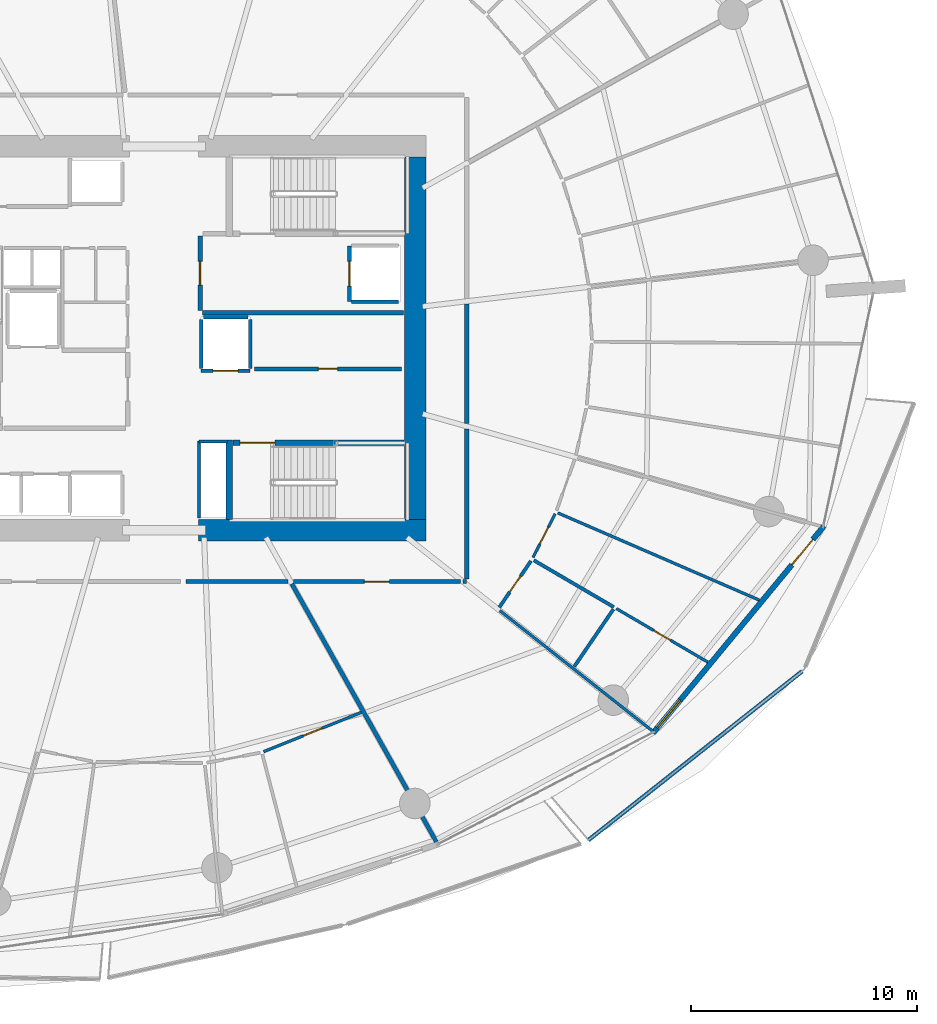
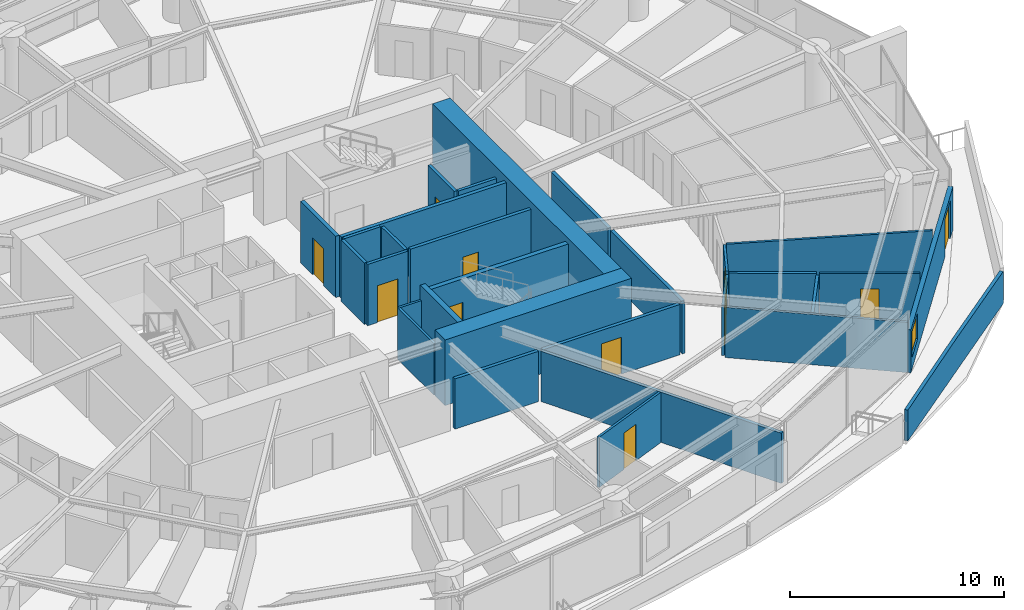
# One storey, part 21 of 32: 31 walls, 11 doors, 1 window, 12 openings.
"""IFC4 building model written with IfcOpenShell, lengths in metres."""

from ifc_helpers import new_model, si_unit, direction, frame, frame_2d, origin, place, context, subcontext, project, spatial, polyline, rectangle, outline, extrude, material, layer, layer_set, type_object, element, fill, save


model = new_model("IFC4")

# Units and contexts
model_context = context("Model", 3, precision=1e-05, world=origin(), true_north=direction((0.0, 1.0)))
body_context = subcontext(model_context, "Body", "Model", "MODEL_VIEW")
ifc_project = project(units=[si_unit("LENGTHUNIT", "METRE"), si_unit("AREAUNIT", "SQUARE_METRE"), si_unit("VOLUMEUNIT", "CUBIC_METRE"), si_unit("PLANEANGLEUNIT", "RADIAN"), si_unit("MASSUNIT", "GRAM", prefix="KILO")], contexts=[model_context])

# Site, building, storey
site_placement = place(None, origin())
site = spatial("IfcSite", under=ifc_project, at=site_placement, CompositionType="ELEMENT")
building_placement = place(site_placement, origin())
building = spatial("IfcBuilding", under=site, at=building_placement, Name="Kazma Halo Residences", CompositionType="ELEMENT")
storey_placement = place(building_placement, frame((0.0, 0.0, 63.89990234375)))
storey = spatial("IfcBuildingStorey", under=building, at=storey_placement, Name="L15", CompositionType="ELEMENT", Elevation=63.89990234375)

# Walls
ifc_material_1 = material(Name="White Concrete C50/60 Balustrade", Category="concrete")
ifc_layer_1 = layer(ifc_material_1, 0.179931640625)
ifc_layer_set_1 = layer_set([ifc_layer_1], Name="White Concrete C50/60 Balustrade")
wall_type_1 = type_object("IfcWallType", Name="WL-BAL-WAVE-180", PredefinedType="PARAPET", material=ifc_layer_set_1)
wall_1_placement = place(storey_placement, frame((67.171630859375, 19.82861328125, 0.0), z_axis=(0.0, 0.0, 1.0), x_axis=(0.784771193171, 0.619785587416, 0.0)))
element("IfcWall", 1, at=wall_1_placement, inside=storey, type_object=wall_type_1, Name="L15 white wave balustrade wall SE.1", PredefinedType="PARAPET", context=body_context, shape_type="SweptSolid", body=[
    extrude(outline(polyline([(0.0, 0.0), (12.0439453125, 0.0), (12.0439453125, 1.83203125), (6.02197265625, 1.85302734375), (0.0, 1.756103515625), (0.0, 0.0)])), frame((0.0, 0.08984375, 0.0), z_axis=(0.0, -1.0, 0.0), x_axis=(1.0, 0.0, 0.0)), (0.0, 0.0, 1.0), 0.179931640625),
])
ifc_material_2 = material(Name="Concrete C80/95", Category="concrete")
ifc_layer_2 = layer(ifc_material_2, 0.949951171875)
ifc_layer_set_2 = layer_set([ifc_layer_2], Name="Concrete C80/95")
wall_type_2 = type_object("IfcWallType", Name="WL-CORE-950", PredefinedType="SHEAR", material=ifc_layer_set_2)
wall_2_placement = place(storey_placement, frame((49.949951171875, 33.52490234375, 0.0), z_axis=(0.0, 0.0, 1.0), x_axis=(1.0, 0.0, 0.0)))
element("IfcWall", 2, at=wall_2_placement, inside=storey, type_object=wall_type_2, Name="L15 central core shear wall SE", PredefinedType="SHEAR", context=body_context, shape_type="SweptSolid", body=[
    extrude(rectangle(XDim=10.050048828125, YDim=0.949951171875, at=frame_2d((5.02490234375, 0.0))), origin(), (0.0, 0.0, 1.0), 3.75),
])
wall_3_placement = place(storey_placement, frame((59.52490234375, 34.0, 0.0), z_axis=(0.0, 0.0, 1.0), x_axis=(0.0, 1.0, 0.0)))
element("IfcWall", 3, at=wall_3_placement, inside=storey, type_object=wall_type_2, Name="L15 central core shear wall E", PredefinedType="SHEAR", context=body_context, shape_type="SweptSolid", body=[
    extrude(rectangle(XDim=16.0, YDim=0.949951171875, at=frame_2d((8.0, 0.0))), origin(), (0.0, 0.0, 1.0), 3.75),
])
ifc_material_3 = material(Name="Concrete C60/75", Category="concrete")
ifc_layer_3 = layer(ifc_material_3, 0.280029296875)
ifc_layer_set_3 = layer_set([ifc_layer_3], Name="Concrete C60/75")
wall_type_3 = type_object("IfcWallType", Name="WL-CORE-ST-280", PredefinedType="SHEAR", material=ifc_layer_set_3)
wall_4_placement = place(storey_placement, frame((51.31005859375, 34.0, 0.0), z_axis=(0.0, 0.0, 1.0), x_axis=(0.0, 1.0, 0.0)))
element("IfcWall", 4, at=wall_4_placement, inside=storey, type_object=wall_type_3, Name="L15 stairwell bearing wall ST03-W", PredefinedType="SHEAR", context=body_context, shape_type="SweptSolid", body=[
    extrude(rectangle(XDim=3.5, YDim=0.280029296875, at=frame_2d((1.75, 0.0))), origin(), (0.0, 0.0, 1.0), 3.75),
])
ifc_material_4 = material(Name="Acoustic Twin-Stud Gypsum")
ifc_layer_4 = layer(ifc_material_4, 0.179931640625)
ifc_layer_set_4 = layer_set([ifc_layer_4], Name="Acoustic Twin-Stud Gypsum")
wall_type_4 = type_object("IfcWallType", Name="WL-DEM-180", PredefinedType="PARTITIONING", material=ifc_layer_set_4)
wall_5_placement = place(storey_placement, frame((54.073974609375, 31.154052734375, 0.0), z_axis=(0.0, 0.0, 1.0), x_axis=(0.48862612996, -0.872493269384, 0.0)))
element("IfcWall", 5, at=wall_5_placement, inside=storey, type_object=wall_type_4, Name="L15 apartment demising radial wall 12", PredefinedType="PARTITIONING", context=body_context, shape_type="SweptSolid", body=[
    extrude(rectangle(XDim=13.064697265625, YDim=0.179931640625, at=frame_2d((6.5322265625, 0.0))), origin(), (0.0, 0.0, 1.0), 2.8671875),
])
wall_6_placement = place(storey_placement, frame((49.392333984375, 31.25, 0.0), z_axis=(0.0, 0.0, 1.0), x_axis=(1.0, 0.0, 0.0)))
element("IfcWall", 6, at=wall_6_placement, inside=storey, type_object=wall_type_4, Name="L15 Apartment 2 inner wall 11", PredefinedType="PARTITIONING", context=body_context, shape_type="SweptSolid", body=[
    extrude(rectangle(XDim=4.508056640625, YDim=0.179931640625, at=frame_2d((2.25390625, 0.0))), origin(), (0.0, 0.0, 1.0), 2.8671875),
])

# Wall, opening, door
wall_7_placement = place(storey_placement, frame((54.140380859375, 31.25, 0.0), z_axis=(0.0, 0.0, 1.0), x_axis=(1.0, 0.0, 0.0)))
wall_7 = element("IfcWall", 7, at=wall_7_placement, inside=storey, type_object=wall_type_4, Name="L15 Apartment 3 entrance corridor wall", PredefinedType="PARTITIONING", context=body_context, shape_type="SweptSolid", body=[
    extrude(rectangle(XDim=7.3759765625, YDim=0.179931640625, at=frame_2d((3.68798828125, 0.0))), origin(), (0.0, 0.0, 1.0), 2.8671875),
])
opening_1_placement = place(wall_7_placement, frame((3.137939453125, 0.0, 0.0)))
opening_1 = element("IfcOpeningElement", 8, at=opening_1_placement, cuts=wall_7, Name="Opening DA-1100", PredefinedType="OPENING", context=body_context, shape_type="SweptSolid", body=[
    extrude(rectangle(XDim=1.10009765625, YDim=2.10009765625, at=frame_2d((0.550048828125, 1.050048828125))), frame((0.0, 0.099853515625, 0.0), z_axis=(0.0, -1.0, 0.0), x_axis=(1.0, 0.0, 0.0)), (0.0, 0.0, 1.0), 0.199951171875),
])
ifc_material_5 = material(Name="Acoustic Walnut Fire Leaf")
door_type_1 = type_object("IfcDoorType", Name="DR-FD60-1100", OperationType="NOTDEFINED", PredefinedType="DOOR", material=ifc_material_5)
door_1_placement = place(opening_1_placement, origin())
door_1 = element("IfcDoor", 9, at=door_1_placement, inside=storey, type_object=door_type_1, Name="L15 Apartment 3 entrance fire door", OperationType="SINGLE_SWING_LEFT", OverallHeight=2.10009765625, OverallWidth=1.10009765625, PredefinedType="DOOR", context=body_context, shape_type="SweptSolid", body=[
    extrude(rectangle(XDim=1.10009765625, YDim=2.10009765625, at=frame_2d((0.550048828125, 1.050048828125))), frame((0.0, 0.02490234375, 0.0), z_axis=(0.0, -1.0, 0.0), x_axis=(1.0, 0.0, 0.0)), (0.0, 0.0, 1.0), 0.050048828125),
])
fill(opening_1, door_1)

# Walls
wall_8_placement = place(storey_placement, frame((61.63623046875, 31.25, 0.0), z_axis=(0.0, 0.0, 1.0), x_axis=(1.0, 0.0, 0.0)))
element("IfcWall", 10, at=wall_8_placement, inside=storey, type_object=wall_type_4, Name="L15 Apartment 3 inner wall 13", PredefinedType="PARTITIONING", context=body_context, shape_type="SweptSolid", body=[
    extrude(rectangle(XDim=0.163818359375, YDim=0.179931640625, at=frame_2d((0.08203125, 0.0))), origin(), (0.0, 0.0, 1.0), 2.8671875),
])
wall_9_placement = place(storey_placement, frame((61.800048828125, 31.3701171875, 0.0), z_axis=(0.0, 0.0, 1.0), x_axis=(0.0, 1.0, 0.0)))
element("IfcWall", 11, at=wall_9_placement, inside=storey, type_object=wall_type_4, Name="L15 Apartment 3 inner wall 13", PredefinedType="PARTITIONING", context=body_context, shape_type="SweptSolid", body=[
    extrude(rectangle(XDim=6.617919921875, YDim=0.179931640625, at=frame_2d((3.30908203125, 0.0))), origin(), (0.0, 0.0, 1.0), 2.8671875),
])
wall_10_placement = place(storey_placement, frame((61.800048828125, 38.22802734375, 0.0), z_axis=(0.0, 0.0, 1.0), x_axis=(0.0, 1.0, 0.0)))
element("IfcWall", 12, at=wall_10_placement, inside=storey, type_object=wall_type_4, Name="L15 Apartment 3 inner wall 14", PredefinedType="PARTITIONING", context=body_context, shape_type="SweptSolid", body=[
    extrude(rectangle(XDim=5.28515625, YDim=0.179931640625, at=frame_2d((2.642578125, 0.0))), origin(), (0.0, 0.0, 1.0), 2.8671875),
])

# Wall, openings, door, window
ifc_material_6 = material(Name="Insulated Pale-Metal Composite Wall")
ifc_layer_5 = layer(ifc_material_6, 0.239990234375)
ifc_layer_set_5 = layer_set([ifc_layer_5], Name="Insulated Pale-Metal Composite Wall")
wall_type_5 = type_object("IfcWallType", Name="WL-EXT-HOST-240", PredefinedType="SOLIDWALL", material=ifc_layer_set_5)
wall_11_placement = place(storey_placement, frame((70.033203125, 24.566650390625, 0.0), z_axis=(0.0, 0.0, 1.0), x_axis=(0.636674332663, 0.771132799281, 0.0)))
wall_11 = element("IfcWall", 13, at=wall_11_placement, inside=storey, type_object=wall_type_5, Name="L15 exterior terrace-access wall B14", PredefinedType="SOLIDWALL", context=body_context, shape_type="SweptSolid", body=[
    extrude(rectangle(XDim=11.851318359375, YDim=0.239990234375, at=frame_2d((5.92578125, 0.0))), origin(), (0.0, 0.0, 1.0), 2.4501953125),
])
opening_2_placement = place(wall_11_placement, frame((9.631103515625, 0.0, 0.0)))
opening_2 = element("IfcOpeningElement", 14, at=opening_2_placement, cuts=wall_11, Name="Opening DTR-1600", PredefinedType="OPENING", context=body_context, shape_type="SweptSolid", body=[
    extrude(rectangle(XDim=1.449951171875, YDim=2.14990234375, at=frame_2d((0.72509765625, 1.074951171875))), frame((0.0, 0.1298828125, 0.0), z_axis=(0.0, -1.0, 0.0), x_axis=(1.0, 0.0, 0.0)), (0.0, 0.0, 1.0), 0.260009765625),
])
opening_3_placement = place(wall_11_placement, frame((0.280029296875, 0.0, 0.64990234375)))
opening_3 = element("IfcOpeningElement", 15, at=opening_3_placement, cuts=wall_11, Name="Opening W-1800", PredefinedType="OPENING", context=body_context, shape_type="SweptSolid", body=[
    extrude(rectangle(XDim=1.60009765625, YDim=1.5, at=frame_2d((0.800048828125, 0.75))), frame((0.0, 0.1298828125, 0.0), z_axis=(0.0, -1.0, 0.0), x_axis=(1.0, 0.0, 0.0)), (0.0, 0.0, 1.0), 0.260009765625),
])
ifc_material_7 = material(Name="Aluminium AW-6063 T6 Double-Glazed Terrace Door", Category="aluminium")
door_type_2 = type_object("IfcDoorType", Name="DR-EXT-TERR-1600", OperationType="NOTDEFINED", PredefinedType="DOOR", material=ifc_material_7)
door_2_placement = place(opening_2_placement, origin())
door_2 = element("IfcDoor", 16, at=door_2_placement, inside=storey, type_object=door_type_2, Name="L15 B14 balcony terrace door", OperationType="DOUBLE_DOOR_SLIDING", OverallHeight=2.14990234375, OverallWidth=1.449951171875, PredefinedType="DOOR", context=body_context, shape_type="SweptSolid", body=[
    extrude(rectangle(XDim=1.449951171875, YDim=2.14990234375, at=frame_2d((0.72509765625, 1.074951171875))), frame((0.0, 0.02490234375, 0.0), z_axis=(0.0, -1.0, 0.0), x_axis=(1.0, 0.0, 0.0)), (0.0, 0.0, 1.0), 0.050048828125),
])
fill(opening_2, door_2)
ifc_material_8 = material(Name="Clear Triple-Silver Low-E Glass in Aluminium AW-6063 T6 Frame", Category="aluminium")
window_type = type_object("IfcWindowType", Name="WIN-RES-1800", PartitioningType="DOUBLE_PANEL_VERTICAL", PredefinedType="WINDOW", material=ifc_material_8)
window_placement = place(opening_3_placement, origin())
window = element("IfcWindow", 17, at=window_placement, inside=storey, type_object=window_type, Name="L15 B14 apartment window", OverallHeight=1.5, OverallWidth=1.60009765625, PartitioningType="SINGLE_PANEL", PredefinedType="WINDOW", context=body_context, shape_type="SweptSolid", body=[
    extrude(rectangle(XDim=1.60009765625, YDim=1.5, at=frame_2d((0.800048828125, 0.75))), frame((0.0, 0.030029296875, 0.0), z_axis=(0.0, -1.0, 0.0), x_axis=(1.0, 0.0, 0.0)), (0.0, 0.0, 1.0), 0.06005859375),
])
fill(opening_3, window)

# Wall, opening, door
ifc_material_9 = material(Name="Fire-Rated Blockwork Masonry", Category="masonry")
ifc_layer_6 = layer(ifc_material_9, 0.199951171875)
ifc_layer_set_6 = layer_set([ifc_layer_6], Name="Fire-Rated Blockwork Masonry")
wall_type_6 = type_object("IfcWallType", Name="WL-FLB-200", PredefinedType="PARTITIONING", material=ifc_layer_set_6)
wall_12_placement = place(storey_placement, frame((56.6201171875, 46.080078125, 0.0), z_axis=(0.0, 0.0, 1.0), x_axis=(0.0, -1.0, 0.0)))
wall_12 = element("IfcWall", 18, at=wall_12_placement, inside=storey, type_object=wall_type_6, Name="L15 lift shaft FL-02 front wall", PredefinedType="PARTITIONING", context=body_context, shape_type="SweptSolid", body=[
    extrude(rectangle(XDim=2.4599609375, YDim=0.159912109375, at=frame_2d((1.22998046875, 0.0))), origin(), (0.0, 0.0, 1.0), 3.5),
])
opening_4_placement = place(wall_12_placement, frame((0.679931640625, 0.0, 0.0)))
opening_4 = element("IfcOpeningElement", 19, at=opening_4_placement, cuts=wall_12, Name="Opening LD-FL-02", PredefinedType="OPENING", context=body_context, shape_type="SweptSolid", body=[
    extrude(rectangle(XDim=1.10009765625, YDim=2.10009765625, at=frame_2d((0.550048828125, 1.050048828125))), frame((0.0, 0.08984375, 0.0), z_axis=(0.0, -1.0, 0.0), x_axis=(1.0, 0.0, 0.0)), (0.0, 0.0, 1.0), 0.179931640625),
])
ifc_material_10 = material(Name="Stainless Steel Fire-Rated", Category="steel")
door_type_3 = type_object("IfcDoorType", Name="DR-LIFT-SLD-1100", OperationType="DOUBLE_DOOR_SLIDING", PredefinedType="DOOR", material=ifc_material_10)
door_3_placement = place(opening_4_placement, origin())
door_3 = element("IfcDoor", 20, at=door_3_placement, inside=storey, type_object=door_type_3, Name="L15 lift FL-02 sliding landing door", OperationType="DOUBLE_DOOR_SLIDING", OverallHeight=2.10009765625, OverallWidth=1.10009765625, PredefinedType="DOOR", context=body_context, shape_type="SweptSolid", body=[
    extrude(rectangle(XDim=1.10009765625, YDim=2.10009765625, at=frame_2d((0.550048828125, 1.050048828125))), frame((0.0, 0.02490234375, 0.0), z_axis=(0.0, -1.0, 0.0), x_axis=(1.0, 0.0, 0.0)), (0.0, 0.0, 1.0), 0.050048828125),
])
fill(opening_4, door_3)

# Wall
wall_13_placement = place(storey_placement, frame((56.719970703125, 43.6201171875, 0.0), z_axis=(0.0, 0.0, 1.0), x_axis=(1.0, 0.0, 0.0)))
element("IfcWall", 21, at=wall_13_placement, inside=storey, type_object=wall_type_6, Name="L15 lift shaft FL-02 side wall S", PredefinedType="PARTITIONING", context=body_context, shape_type="SweptSolid", body=[
    extrude(rectangle(XDim=2.06005859375, YDim=0.159912109375, at=frame_2d((1.030029296875, 0.0))), origin(), (0.0, 0.0, 1.0), 3.5),
])

# Wall, opening, door
wall_14_placement = place(storey_placement, frame((52.22998046875, 40.570068359375, 0.0), z_axis=(0.0, 0.0, 1.0), x_axis=(-1.0, 0.0, 0.0)))
wall_14 = element("IfcWall", 22, at=wall_14_placement, inside=storey, type_object=wall_type_6, Name="L15 lift shaft SV-01 front wall", PredefinedType="PARTITIONING", context=body_context, shape_type="SweptSolid", body=[
    extrude(rectangle(XDim=2.159912109375, YDim=0.159912109375, at=frame_2d((1.080078125, 0.0))), origin(), (0.0, 0.0, 1.0), 3.5),
])
opening_5_placement = place(wall_14_placement, frame((0.530029296875, 0.0, 0.0)))
opening_5 = element("IfcOpeningElement", 23, at=opening_5_placement, cuts=wall_14, Name="Opening LD-SV-01", PredefinedType="OPENING", context=body_context, shape_type="SweptSolid", body=[
    extrude(rectangle(XDim=1.10009765625, YDim=2.10009765625, at=frame_2d((0.550048828125, 1.050048828125))), frame((0.0, 0.08984375, 0.0), z_axis=(0.0, -1.0, 0.0), x_axis=(1.0, 0.0, 0.0)), (0.0, 0.0, 1.0), 0.179931640625),
])
door_4_placement = place(opening_5_placement, origin())
door_4 = element("IfcDoor", 24, at=door_4_placement, inside=storey, type_object=door_type_3, Name="L15 lift SV-01 sliding landing door", OperationType="DOUBLE_DOOR_SLIDING", OverallHeight=2.10009765625, OverallWidth=1.10009765625, PredefinedType="DOOR", context=body_context, shape_type="SweptSolid", body=[
    extrude(rectangle(XDim=1.10009765625, YDim=2.10009765625, at=frame_2d((0.550048828125, 1.050048828125))), frame((0.0, 0.02490234375, 0.0), z_axis=(0.0, -1.0, 0.0), x_axis=(1.0, 0.0, 0.0)), (0.0, 0.0, 1.0), 0.050048828125),
])
fill(opening_5, door_4)

# Walls
for number, where, z_axis, x_axis, name in (
    (25, (52.22998046875, 40.669921875, 0.0), (0.0, 0.0, 1.0), (0.0, 1.0, 0.0), "L15 lift shaft SV-01 side wall E"),
    (26, (50.070068359375, 40.669921875, 0.0), (0.0, 0.0, 1.0), (0.0, 1.0, 0.0), "L15 lift shaft SV-01 side wall W"),
):
    element("IfcWall", number, at=place(storey_placement, frame(where, z_axis=z_axis, x_axis=x_axis)), inside=storey, type_object=wall_type_6, Name=name, PredefinedType="PARTITIONING", context=body_context, shape_type="SweptSolid", body=[
        extrude(rectangle(XDim=2.16015625, YDim=0.159912109375, at=frame_2d((1.080078125, 0.0))), origin(), (0.0, 0.0, 1.0), 3.5),
    ])
wall_15_placement = place(storey_placement, frame((50.169921875, 42.929931640625, 0.0), z_axis=(0.0, 0.0, 1.0), x_axis=(1.0, 0.0, 0.0)))
element("IfcWall", 27, at=wall_15_placement, inside=storey, type_object=wall_type_6, Name="L15 lift shaft SV-01 side wall N", PredefinedType="PARTITIONING", context=body_context, shape_type="SweptSolid", body=[
    extrude(rectangle(XDim=1.9599609375, YDim=0.159912109375, at=frame_2d((0.97998046875, 0.0))), origin(), (0.0, 0.0, 1.0), 3.5),
])

# Wall, opening, door
wall_16_placement = place(storey_placement, frame((52.419921875, 40.64990234375, 0.0), z_axis=(0.0, 0.0, 1.0), x_axis=(1.0, 0.0, 0.0)))
wall_16 = element("IfcWall", 28, at=wall_16_placement, inside=storey, type_object=wall_type_6, Name="L15 core east reserve wall", PredefinedType="PARTITIONING", context=body_context, shape_type="SweptSolid", body=[
    extrude(rectangle(XDim=6.5, YDim=0.179931640625, at=frame_2d((3.25, 0.0))), origin(), (0.0, 0.0, 1.0), 3.5),
])
opening_6_placement = place(wall_16_placement, frame((2.824951171875, 0.0, 0.0)))
opening_6 = element("IfcOpeningElement", 29, at=opening_6_placement, cuts=wall_16, Name="Opening DS-850", PredefinedType="OPENING", context=body_context, shape_type="SweptSolid", body=[
    extrude(rectangle(XDim=0.85009765625, YDim=2.06005859375, at=frame_2d((0.425048828125, 1.030029296875))), frame((0.0, 0.099853515625, 0.0), z_axis=(0.0, -1.0, 0.0), x_axis=(1.0, 0.0, 0.0)), (0.0, 0.0, 1.0), 0.199951171875),
])
ifc_material_11 = material(Name="Painted Steel Access Leaf", Category="steel")
door_type_4 = type_object("IfcDoorType", Name="DR-SVC-850", OperationType="NOTDEFINED", PredefinedType="DOOR", material=ifc_material_11)
door_5_placement = place(opening_6_placement, origin())
door_5 = element("IfcDoor", 30, at=door_5_placement, inside=storey, type_object=door_type_4, Name="L15 core east reserve door", OperationType="SINGLE_SWING_RIGHT", OverallHeight=2.06005859375, OverallWidth=0.85009765625, PredefinedType="DOOR", context=body_context, shape_type="SweptSolid", body=[
    extrude(rectangle(XDim=0.85009765625, YDim=2.06005859375, at=frame_2d((0.425048828125, 1.030029296875))), frame((0.0, 0.02490234375, 0.0), z_axis=(0.0, -1.0, 0.0), x_axis=(1.0, 0.0, 0.0)), (0.0, 0.0, 1.0), 0.050048828125),
])
fill(opening_6, door_5)

# Wall
wall_17_placement = place(storey_placement, frame((50.1201171875, 43.1201171875, 0.0), z_axis=(0.0, 0.0, 1.0), x_axis=(1.0, 0.0, 0.0)))
element("IfcWall", 31, at=wall_17_placement, inside=storey, type_object=wall_type_6, Name="L15 east firefighting lobby south smoke wall", PredefinedType="PARTITIONING", context=body_context, shape_type="SweptSolid", body=[
    extrude(rectangle(XDim=8.8798828125, YDim=0.199951171875, at=frame_2d((4.43994140625, 0.0))), origin(), (0.0, 0.0, 1.0), 3.5),
])

# Wall, opening, door
wall_18_placement = place(storey_placement, frame((50.02001953125, 43.219970703125, 0.0), z_axis=(0.0, 0.0, 1.0), x_axis=(0.0, 1.0, 0.0)))
wall_18 = element("IfcWall", 32, at=wall_18_placement, inside=storey, type_object=wall_type_6, Name="L15 east firefighting lobby smoke wall", PredefinedType="PARTITIONING", context=body_context, shape_type="SweptSolid", body=[
    extrude(rectangle(XDim=3.300048828125, YDim=0.199951171875, at=frame_2d((1.64990234375, 0.0))), origin(), (0.0, 0.0, 1.0), 3.5),
])
opening_7_placement = place(wall_18_placement, frame((1.125, 0.0, 0.0)))
opening_7 = element("IfcOpeningElement", 33, at=opening_7_placement, cuts=wall_18, Name="Opening D-FLE", PredefinedType="OPENING", context=body_context, shape_type="SweptSolid", body=[
    extrude(rectangle(XDim=1.050048828125, YDim=2.10009765625, at=frame_2d((0.52490234375, 1.050048828125))), frame((0.0, 0.10986328125, 0.0), z_axis=(0.0, -1.0, 0.0), x_axis=(1.0, 0.0, 0.0)), (0.0, 0.0, 1.0), 0.219970703125),
])
ifc_material_12 = material(Name="Fire-Rated Steel Leaf", Category="steel")
door_type_5 = type_object("IfcDoorType", Name="DR-FD90-1050", OperationType="NOTDEFINED", PredefinedType="DOOR", material=ifc_material_12)
door_6_placement = place(opening_7_placement, origin())
door_6 = element("IfcDoor", 34, at=door_6_placement, inside=storey, type_object=door_type_5, Name="L15 east firefighting lobby smoke door", OperationType="SINGLE_SWING_LEFT", OverallHeight=2.10009765625, OverallWidth=1.050048828125, PredefinedType="DOOR", context=body_context, shape_type="SweptSolid", body=[
    extrude(rectangle(XDim=1.050048828125, YDim=2.10009765625, at=frame_2d((0.52490234375, 1.050048828125))), frame((0.0, 0.02490234375, 0.0), z_axis=(0.0, -1.0, 0.0), x_axis=(1.0, 0.0, 0.0)), (0.0, 0.0, 1.0), 0.050048828125),
])
fill(opening_7, door_6)

# Walls
ifc_material_13 = material(Name="Gypsum Plasterboard Partition")
ifc_layer_7 = layer(ifc_material_13, 0.125)
ifc_layer_set_7 = layer_set([ifc_layer_7], Name="Gypsum Plasterboard Partition")
wall_type_7 = type_object("IfcWallType", Name="WL-PART-125", PredefinedType="PARTITIONING", material=ifc_layer_set_7)
wall_19_placement = place(storey_placement, frame((49.97998046875, 34.06005859375, 0.0), z_axis=(0.0, 0.0, 1.0), x_axis=(0.0, 1.0, 0.0)))
element("IfcWall", 35, at=wall_19_placement, inside=storey, type_object=wall_type_7, Name="L15 standpipe riser wall", PredefinedType="PARTITIONING", context=body_context, shape_type="SweptSolid", body=[
    extrude(rectangle(XDim=3.39990234375, YDim=0.125, at=frame_2d((1.699951171875, 0.0))), origin(), (0.0, 0.0, 1.0), 2.940185546875),
])
wall_20_placement = place(storey_placement, frame((49.97998046875, 37.43994140625, 0.0), z_axis=(0.0, 0.0, 1.0), x_axis=(1.0, 0.0, 0.0)))
element("IfcWall", 36, at=wall_20_placement, inside=storey, type_object=wall_type_7, Name="L15 standpipe riser north wall", PredefinedType="PARTITIONING", context=body_context, shape_type="SweptSolid", body=[
    extrude(rectangle(XDim=1.260009765625, YDim=0.125, at=frame_2d((0.6298828125, 0.0))), origin(), (0.0, 0.0, 1.0), 2.940185546875),
])

# Wall, opening, door
wall_21_placement = place(storey_placement, frame((52.82470703125, 23.736572265625, 0.0), z_axis=(0.0, 0.0, 1.0), x_axis=(0.927816686836, 0.373036453484, 0.0)))
wall_21 = element("IfcWall", 37, at=wall_21_placement, inside=storey, type_object=wall_type_7, Name="L15 Apartment 2 South Bedroom hall wall", PredefinedType="PARTITIONING", context=body_context, shape_type="SweptSolid", body=[
    extrude(rectangle(XDim=4.6533203125, YDim=0.125, at=frame_2d((2.32666015625, 0.0))), origin(), (0.0, 0.0, 1.0), 2.8671875),
])
opening_8_placement = place(wall_21_placement, frame((1.876708984375, 0.0, 0.0)))
opening_8 = element("IfcOpeningElement", 38, at=opening_8_placement, cuts=wall_21, Name="Opening DI-950", PredefinedType="OPENING", context=body_context, shape_type="SweptSolid", body=[
    extrude(rectangle(XDim=0.89990234375, YDim=2.080078125, at=frame_2d((0.449951171875, 1.0400390625))), frame((0.0, 0.072509765625, 0.0), z_axis=(0.0, -1.0, 0.0), x_axis=(1.0, 0.0, 0.0)), (0.0, 0.0, 1.0), 0.14501953125),
])
ifc_material_14 = material(Name="Timber Veneer Flush Leaf", Category="wood")
door_type_6 = type_object("IfcDoorType", Name="DR-INT-950", OperationType="NOTDEFINED", PredefinedType="DOOR", material=ifc_material_14)
door_7_placement = place(opening_8_placement, origin())
door_7 = element("IfcDoor", 39, at=door_7_placement, inside=storey, type_object=door_type_6, Name="L15 Apartment 2 South Bedroom door", OperationType="SINGLE_SWING_RIGHT", OverallHeight=2.080078125, OverallWidth=0.89990234375, PredefinedType="DOOR", context=body_context, shape_type="SweptSolid", body=[
    extrude(rectangle(XDim=0.89990234375, YDim=2.080078125, at=frame_2d((0.449951171875, 1.0400390625))), frame((0.0, 0.02490234375, 0.0), z_axis=(0.0, -1.0, 0.0), x_axis=(1.0, 0.0, 0.0)), (0.0, 0.0, 1.0), 0.050048828125),
])
fill(opening_8, door_7)

# Wall
wall_22_placement = place(storey_placement, frame((63.260986328125, 29.96923828125, 0.0), z_axis=(0.0, 0.0, 1.0), x_axis=(0.78531804627, -0.619092534443, 0.0)))
element("IfcWall", 40, at=wall_22_placement, inside=storey, type_object=wall_type_7, Name="L15 Apartment 3 radial partition 13", PredefinedType="PARTITIONING", context=body_context, shape_type="SweptSolid", body=[
    extrude(rectangle(XDim=8.63916015625, YDim=0.125, at=frame_2d((4.319580078125, 0.0))), origin(), (0.0, 0.0, 1.0), 2.8671875),
])

# Wall, opening, door
wall_23_placement = place(storey_placement, frame((68.406982421875, 30.060791015625, 0.0), z_axis=(0.0, 0.0, 1.0), x_axis=(0.863132370473, -0.504977733214, 0.0)))
wall_23 = element("IfcWall", 41, at=wall_23_placement, inside=storey, type_object=wall_type_7, Name="L15 Apartment 3 Utility Laundry Room partition wall", PredefinedType="PARTITIONING", context=body_context, shape_type="SweptSolid", body=[
    extrude(rectangle(XDim=4.689208984375, YDim=0.125, at=frame_2d((2.3447265625, 0.0))), origin(), (0.0, 0.0, 1.0), 2.940185546875),
])
opening_9_placement = place(wall_23_placement, frame((1.91943359375, 0.0, 0.0)))
opening_9 = element("IfcOpeningElement", 42, at=opening_9_placement, cuts=wall_23, Name="Opening DB-900", PredefinedType="OPENING", context=body_context, shape_type="SweptSolid", body=[
    extrude(rectangle(XDim=0.85009765625, YDim=2.06005859375, at=frame_2d((0.425048828125, 1.030029296875))), frame((0.0, 0.072509765625, 0.0), z_axis=(0.0, -1.0, 0.0), x_axis=(1.0, 0.0, 0.0)), (0.0, 0.0, 1.0), 0.14501953125),
])
ifc_material_15 = material(Name="Moisture-Sealed Timber Leaf", Category="wood")
door_type_7 = type_object("IfcDoorType", Name="DR-BTH-900", OperationType="NOTDEFINED", PredefinedType="DOOR", material=ifc_material_15)
door_8_placement = place(opening_9_placement, origin())
door_8 = element("IfcDoor", 43, at=door_8_placement, inside=storey, type_object=door_type_7, Name="L15 Apartment 3 Utility Laundry Room door", OperationType="SINGLE_SWING_RIGHT", OverallHeight=2.06005859375, OverallWidth=0.85009765625, PredefinedType="DOOR", context=body_context, shape_type="SweptSolid", body=[
    extrude(rectangle(XDim=0.85009765625, YDim=2.06005859375, at=frame_2d((0.425048828125, 1.030029296875))), frame((0.0, 0.02490234375, 0.0), z_axis=(0.0, -1.0, 0.0), x_axis=(1.0, 0.0, 0.0)), (0.0, 0.0, 1.0), 0.050048828125),
])
fill(opening_9, door_8)

# Wall
wall_24_placement = place(storey_placement, frame((65.824951171875, 34.284912109375, 0.0), z_axis=(0.0, 0.0, 1.0), x_axis=(0.917721842762, -0.39722363892, 0.0)))
element("IfcWall", 44, at=wall_24_placement, inside=storey, type_object=wall_type_7, Name="L15 Apartment 3 suite divider 13", PredefinedType="PARTITIONING", context=body_context, shape_type="SweptSolid", body=[
    extrude(rectangle(XDim=9.6943359375, YDim=0.125, at=frame_2d((4.84716796875, 0.0))), origin(), (0.0, 0.0, 1.0), 2.940185546875),
])

# Wall, opening, door
wall_25_placement = place(storey_placement, frame((64.7275390625, 32.3173828125, 0.0), z_axis=(0.0, 0.0, 1.0), x_axis=(0.451897802863, 0.892069714634, 0.0)))
wall_25 = element("IfcWall", 45, at=wall_25_placement, inside=storey, type_object=wall_type_7, Name="L15 Apartment 3 Gourmet Kitchen hall wall", PredefinedType="PARTITIONING", context=body_context, shape_type="SweptSolid", body=[
    extrude(rectangle(XDim=2.165283203125, YDim=0.125, at=frame_2d((1.08251953125, 0.0))), origin(), (0.0, 0.0, 1.0), 2.940185546875),
])
opening_10_placement = place(wall_25_placement, frame((0.65771484375, 0.0, 0.0)))
opening_10 = element("IfcOpeningElement", 46, at=opening_10_placement, cuts=wall_25, Name="Opening DB-900", PredefinedType="OPENING", context=body_context, shape_type="SweptSolid", body=[
    extrude(rectangle(XDim=0.85009765625, YDim=2.06005859375, at=frame_2d((0.425048828125, 1.030029296875))), frame((0.0, 0.072509765625, 0.0), z_axis=(0.0, -1.0, 0.0), x_axis=(1.0, 0.0, 0.0)), (0.0, 0.0, 1.0), 0.14501953125),
])
door_9_placement = place(opening_10_placement, origin())
door_9 = element("IfcDoor", 47, at=door_9_placement, inside=storey, type_object=door_type_7, Name="L15 Apartment 3 Gourmet Kitchen door", OperationType="SINGLE_SWING_LEFT", OverallHeight=2.06005859375, OverallWidth=0.85009765625, PredefinedType="DOOR", context=body_context, shape_type="SweptSolid", body=[
    extrude(rectangle(XDim=0.85009765625, YDim=2.06005859375, at=frame_2d((0.425048828125, 1.030029296875))), frame((0.0, 0.02490234375, 0.0), z_axis=(0.0, -1.0, 0.0), x_axis=(1.0, 0.0, 0.0)), (0.0, 0.0, 1.0), 0.050048828125),
])
fill(opening_10, door_9)

ifc_material_16 = material(Name="Concrete C50/60", Category="concrete")
ifc_layer_8 = layer(ifc_material_16, 0.25)
ifc_layer_set_8 = layer_set([ifc_layer_8], Name="Concrete C50/60")
wall_type_8 = type_object("IfcWallType", Name="WL-SHF-250", PredefinedType="SOLIDWALL", material=ifc_layer_set_8)
wall_26_placement = place(storey_placement, frame((51.47998046875, 37.3798828125, 0.0), z_axis=(0.0, 0.0, 1.0), x_axis=(1.0, 0.0, 0.0)))
wall_26 = element("IfcWall", 48, at=wall_26_placement, inside=storey, type_object=wall_type_8, Name="L15 exit stair ST-03 enclosure wall", PredefinedType="SOLIDWALL", context=body_context, shape_type="SweptSolid", body=[
    extrude(rectangle(XDim=7.5400390625, YDim=0.25, at=frame_2d((3.77001953125, 0.0))), origin(), (0.0, 0.0, 1.0), 3.5),
])
opening_11_placement = place(wall_26_placement, frame((0.300048828125, 0.0, 0.0)))
opening_11 = element("IfcOpeningElement", 49, at=opening_11_placement, cuts=wall_26, Name="Opening D-ST3", PredefinedType="OPENING", context=body_context, shape_type="SweptSolid", body=[
    extrude(rectangle(XDim=1.550048828125, YDim=2.14990234375, at=frame_2d((0.77490234375, 1.074951171875))), frame((0.0, 0.135009765625, 0.0), z_axis=(0.0, -1.0, 0.0), x_axis=(1.0, 0.0, 0.0)), (0.0, 0.0, 1.0), 0.27001953125),
])
ifc_material_17 = material(Name="Fire-Rated Double Steel Leaf", Category="steel")
door_type_8 = type_object("IfcDoorType", Name="DR-FD90-1550", OperationType="NOTDEFINED", PredefinedType="DOOR", material=ifc_material_17)
door_10_placement = place(opening_11_placement, origin())
door_10 = element("IfcDoor", 50, at=door_10_placement, inside=storey, type_object=door_type_8, Name="L15 exit stair ST-03 fire door", OperationType="DOUBLE_DOOR_SINGLE_SWING", OverallHeight=2.14990234375, OverallWidth=1.550048828125, PredefinedType="DOOR", context=body_context, shape_type="SweptSolid", body=[
    extrude(rectangle(XDim=1.550048828125, YDim=2.14990234375, at=frame_2d((0.77490234375, 1.074951171875))), frame((0.0, 0.02490234375, 0.0), z_axis=(0.0, -1.0, 0.0), x_axis=(1.0, 0.0, 0.0)), (0.0, 0.0, 1.0), 0.050048828125),
])
fill(opening_11, door_10)

ifc_material_18 = material(Name="Moisture-Resistant Gypsum")
ifc_layer_9 = layer(ifc_material_18, 0.14990234375)
ifc_layer_set_9 = layer_set([ifc_layer_9], Name="Moisture-Resistant Gypsum")
wall_type_9 = type_object("IfcWallType", Name="WL-WET-150", PredefinedType="PARTITIONING", material=ifc_layer_set_9)
wall_27_placement = place(storey_placement, frame((63.23876953125, 30.11376953125, 0.0), z_axis=(0.0, 0.0, 1.0), x_axis=(0.563437614894, 0.826158613174, 0.0)))
wall_27 = element("IfcWall", 51, at=wall_27_placement, inside=storey, type_object=wall_type_9, Name="L15 Apartment 3 Guest Bathroom hall wall", PredefinedType="PARTITIONING", context=body_context, shape_type="SweptSolid", body=[
    extrude(rectangle(XDim=2.480224609375, YDim=0.14990234375, at=frame_2d((1.240234375, 0.0))), origin(), (0.0, 0.0, 1.0), 2.8671875),
])
opening_12_placement = place(wall_27_placement, frame((0.815185546875, 0.0, 0.0)))
opening_12 = element("IfcOpeningElement", 52, at=opening_12_placement, cuts=wall_27, Name="Opening DB-900", PredefinedType="OPENING", context=body_context, shape_type="SweptSolid", body=[
    extrude(rectangle(XDim=0.85009765625, YDim=2.06005859375, at=frame_2d((0.425048828125, 1.030029296875))), frame((0.0, 0.0849609375, 0.0), z_axis=(0.0, -1.0, 0.0), x_axis=(1.0, 0.0, 0.0)), (0.0, 0.0, 1.0), 0.169921875),
])
door_11_placement = place(opening_12_placement, origin())
door_11 = element("IfcDoor", 53, at=door_11_placement, inside=storey, type_object=door_type_7, Name="L15 Apartment 3 Guest Bathroom door", OperationType="SINGLE_SWING_LEFT", OverallHeight=2.06005859375, OverallWidth=0.85009765625, PredefinedType="DOOR", context=body_context, shape_type="SweptSolid", body=[
    extrude(rectangle(XDim=0.85009765625, YDim=2.06005859375, at=frame_2d((0.425048828125, 1.030029296875))), frame((0.0, 0.02490234375, 0.0), z_axis=(0.0, -1.0, 0.0), x_axis=(1.0, 0.0, 0.0)), (0.0, 0.0, 1.0), 0.050048828125),
])
fill(opening_12, door_11)

# Walls
wall_28_placement = place(storey_placement, frame((66.552978515625, 27.501220703125, 0.0), z_axis=(0.0, 0.0, 1.0), x_axis=(0.563388764178, 0.826191927095, 0.0)))
element("IfcWall", 54, at=wall_28_placement, inside=storey, type_object=wall_type_9, Name="L15 Apartment 3 Guest Bathroom back wall", PredefinedType="PARTITIONING", context=body_context, shape_type="SweptSolid", body=[
    extrude(rectangle(XDim=3.06298828125, YDim=0.14990234375, at=frame_2d((1.531494140625, 0.0))), origin(), (0.0, 0.0, 1.0), 2.8671875),
])
wall_29_placement = place(storey_placement, frame((64.7646484375, 32.19189453125, 0.0), z_axis=(0.0, 0.0, 1.0), x_axis=(0.863128698129, -0.504984010109, 0.0)))
element("IfcWall", 55, at=wall_29_placement, inside=storey, type_object=wall_type_9, Name="L15 Apartment 3 Guest Bathroom side wall", PredefinedType="PARTITIONING", context=body_context, shape_type="SweptSolid", body=[
    extrude(rectangle(XDim=4.090087890625, YDim=0.14990234375, at=frame_2d((2.044921875, 0.0))), origin(), (0.0, 0.0, 1.0), 2.940185546875),
])

save(model, "model.ifc")
